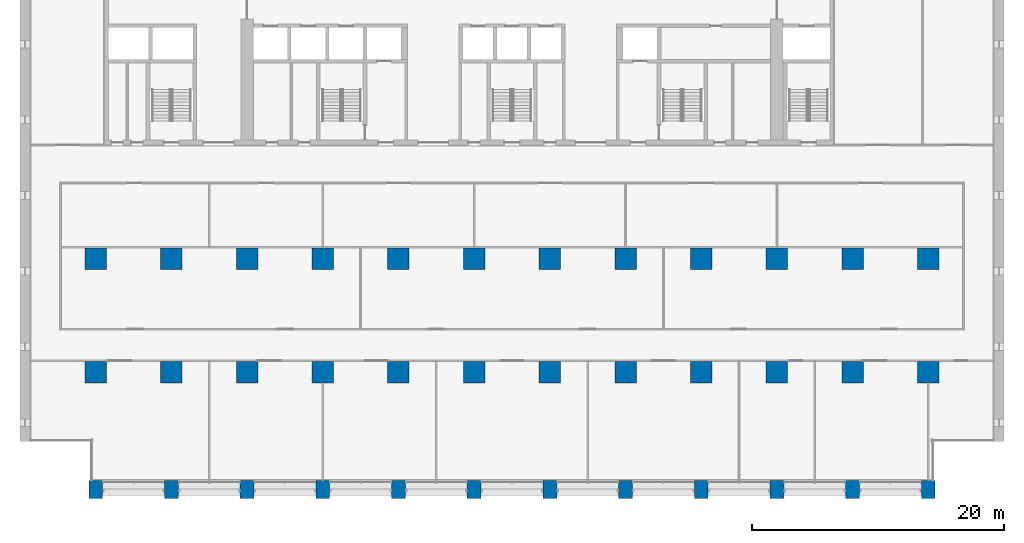
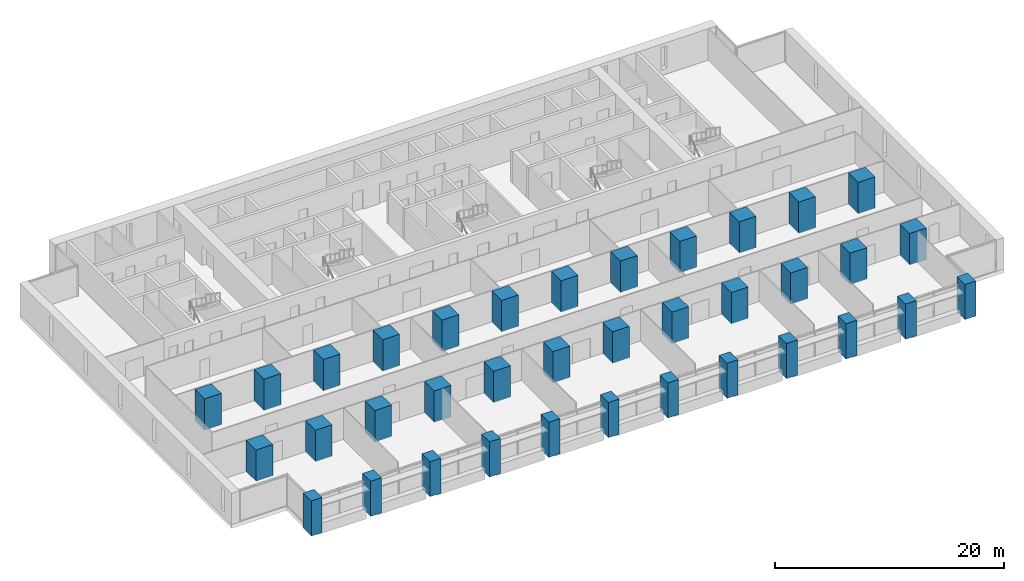
# One storey, part 1 of 18: 36 columns.
"""IFC4 building model written with IfcOpenShell, lengths in metres."""

from ifc_helpers import new_model, si_unit, direction, frame, origin, origin_2d, place, context, subcontext, project, spatial, rectangle, extrude, material, material_profile, profile_set, type_object, element, save


model = new_model("IFC4")

# Units and contexts
model_context = context("Model", 3, precision=1e-05, world=origin(), true_north=direction((0.0, 1.0)))
body_context = subcontext(model_context, "Body", "Model", "MODEL_VIEW")
ifc_project = project(units=[si_unit("LENGTHUNIT", "METRE"), si_unit("AREAUNIT", "SQUARE_METRE"), si_unit("VOLUMEUNIT", "CUBIC_METRE"), si_unit("PLANEANGLEUNIT", "RADIAN"), si_unit("MASSUNIT", "GRAM", prefix="KILO")], contexts=[model_context])

# Site, building, storey
site_placement = place(None, origin())
site = spatial("IfcSite", under=ifc_project, at=site_placement, CompositionType="ELEMENT")
building_placement = place(site_placement, origin())
building = spatial("IfcBuilding", under=site, at=building_placement, Name="Calvaro Tower", CompositionType="ELEMENT")
storey_placement = place(building_placement, frame((0.0, 0.0, 48.75)))
storey = spatial("IfcBuildingStorey", under=building, at=storey_placement, Name="L11", CompositionType="ELEMENT", Elevation=48.75)

# Columns
ifc_material_1 = material(Name="Concrete C80/95", Category="concrete")
ifc_material_profile_1 = material_profile(ifc_material_1, rectangle(XDim=1.699951171875, YDim=1.699951171875, at=origin_2d()), Name="RC 1700x1700")
ifc_profile_set_1 = profile_set([ifc_material_profile_1], Name="Concrete C80/95")
column_type_1 = type_object("IfcColumnType", Name="Column 1700x1700 C80/95", PredefinedType="COLUMN", material=ifc_profile_set_1)
for number, where, z_axis, x_axis, name in (
    (1, (6.0, 10.0, 0.0), (0.0, 0.0, 1.0), (1.0, 0.0, 0.0), "Column 2B"),
    (2, (6.0, 19.0, 0.0), (0.0, 0.0, 1.0), (1.0, 0.0, 0.0), "Column 2C"),
    (3, (12.0, 10.0, 0.0), (0.0, 0.0, 1.0), (1.0, 0.0, 0.0), "Column 3B"),
    (4, (12.0, 19.0, 0.0), (0.0, 0.0, 1.0), (1.0, 0.0, 0.0), "Column 3C"),
    (5, (18.0, 10.0, 0.0), (0.0, 0.0, 1.0), (1.0, 0.0, 0.0), "Column 4B"),
    (6, (18.0, 19.0, 0.0), (0.0, 0.0, 1.0), (1.0, 0.0, 0.0), "Column 4C"),
    (7, (24.0, 10.0, 0.0), (0.0, 0.0, 1.0), (1.0, 0.0, 0.0), "Column 5B"),
    (8, (24.0, 19.0, 0.0), (0.0, 0.0, 1.0), (1.0, 0.0, 0.0), "Column 5C"),
    (9, (30.0, 10.0, 0.0), (0.0, 0.0, 1.0), (1.0, 0.0, 0.0), "Column 6B"),
    (10, (30.0, 19.0, 0.0), (0.0, 0.0, 1.0), (1.0, 0.0, 0.0), "Column 6C"),
    (11, (36.0, 10.0, 0.0), (0.0, 0.0, 1.0), (1.0, 0.0, 0.0), "Column 7B"),
    (12, (36.0, 19.0, 0.0), (0.0, 0.0, 1.0), (1.0, 0.0, 0.0), "Column 7C"),
    (13, (42.0, 10.0, 0.0), (0.0, 0.0, 1.0), (1.0, 0.0, 0.0), "Column 8B"),
    (14, (42.0, 19.0, 0.0), (0.0, 0.0, 1.0), (1.0, 0.0, 0.0), "Column 8C"),
    (15, (48.0, 10.0, 0.0), (0.0, 0.0, 1.0), (1.0, 0.0, 0.0), "Column 9B"),
    (16, (48.0, 19.0, 0.0), (0.0, 0.0, 1.0), (1.0, 0.0, 0.0), "Column 9C"),
    (17, (54.0, 10.0, 0.0), (0.0, 0.0, 1.0), (1.0, 0.0, 0.0), "Column 10B"),
    (18, (54.0, 19.0, 0.0), (0.0, 0.0, 1.0), (1.0, 0.0, 0.0), "Column 10C"),
    (19, (60.0, 10.0, 0.0), (0.0, 0.0, 1.0), (1.0, 0.0, 0.0), "Column 11B"),
    (20, (60.0, 19.0, 0.0), (0.0, 0.0, 1.0), (1.0, 0.0, 0.0), "Column 11C"),
    (21, (66.0, 10.0, 0.0), (0.0, 0.0, 1.0), (1.0, 0.0, 0.0), "Column 12B"),
    (22, (66.0, 19.0, 0.0), (0.0, 0.0, 1.0), (1.0, 0.0, 0.0), "Column 12C"),
    (23, (72.0, 10.0, 0.0), (0.0, 0.0, 1.0), (1.0, 0.0, 0.0), "Column 13B"),
    (24, (72.0, 19.0, 0.0), (0.0, 0.0, 1.0), (1.0, 0.0, 0.0), "Column 13C"),
):
    element("IfcColumn", number, at=place(storey_placement, frame(where, z_axis=z_axis, x_axis=x_axis)), inside=storey, type_object=column_type_1, Name=name, PredefinedType="COLUMN", context=body_context, shape_type="SweptSolid", body=[
        extrude(rectangle(XDim=1.699951171875, YDim=1.699951171875, at=origin_2d()), origin(), (0.0, 0.0, 1.0), 3.35009765625),
    ])
ifc_material_2 = material(Name="Concrete C80/95", Category="concrete")
ifc_material_profile_2 = material_profile(ifc_material_2, rectangle(XDim=1.10009765625, YDim=1.39990234375, at=origin_2d()), Name="RC 1100x1400")
ifc_profile_set_2 = profile_set([ifc_material_profile_2], Name="Concrete C80/95")
column_type_2 = type_object("IfcColumnType", Name="Pier 1100x1400 C80/95", PredefinedType="COLUMN", material=ifc_profile_set_2)
for number, where, z_axis, x_axis, name in (
    (25, (6.0, 0.699951171875, -0.39990234375), (0.0, 0.0, 1.0), (1.0, 0.0, 0.0), "South pier 2"),
    (26, (12.0, 0.699951171875, -0.39990234375), (0.0, 0.0, 1.0), (1.0, 0.0, 0.0), "South pier 3"),
    (27, (18.0, 0.699951171875, -0.39990234375), (0.0, 0.0, 1.0), (1.0, 0.0, 0.0), "South pier 4"),
    (28, (24.0, 0.699951171875, -0.39990234375), (0.0, 0.0, 1.0), (1.0, 0.0, 0.0), "South pier 5"),
    (29, (30.0, 0.699951171875, -0.39990234375), (0.0, 0.0, 1.0), (1.0, 0.0, 0.0), "South pier 6"),
    (30, (36.0, 0.699951171875, -0.39990234375), (0.0, 0.0, 1.0), (1.0, 0.0, 0.0), "South pier 7"),
    (31, (42.0, 0.699951171875, -0.39990234375), (0.0, 0.0, 1.0), (1.0, 0.0, 0.0), "South pier 8"),
    (32, (48.0, 0.699951171875, -0.39990234375), (0.0, 0.0, 1.0), (1.0, 0.0, 0.0), "South pier 9"),
    (33, (54.0, 0.699951171875, -0.39990234375), (0.0, 0.0, 1.0), (1.0, 0.0, 0.0), "South pier 10"),
    (34, (60.0, 0.699951171875, -0.39990234375), (0.0, 0.0, 1.0), (1.0, 0.0, 0.0), "South pier 11"),
    (35, (66.0, 0.699951171875, -0.39990234375), (0.0, 0.0, 1.0), (1.0, 0.0, 0.0), "South pier 12"),
    (36, (72.0, 0.699951171875, -0.39990234375), (0.0, 0.0, 1.0), (1.0, 0.0, 0.0), "South pier 13"),
):
    element("IfcColumn", number, at=place(storey_placement, frame(where, z_axis=z_axis, x_axis=x_axis)), inside=storey, type_object=column_type_2, Name=name, PredefinedType="COLUMN", context=body_context, shape_type="SweptSolid", body=[
        extrude(rectangle(XDim=1.10009765625, YDim=1.39990234375, at=origin_2d()), origin(), (0.0, 0.0, 1.0), 3.75),
    ])

save(model, "model.ifc")
